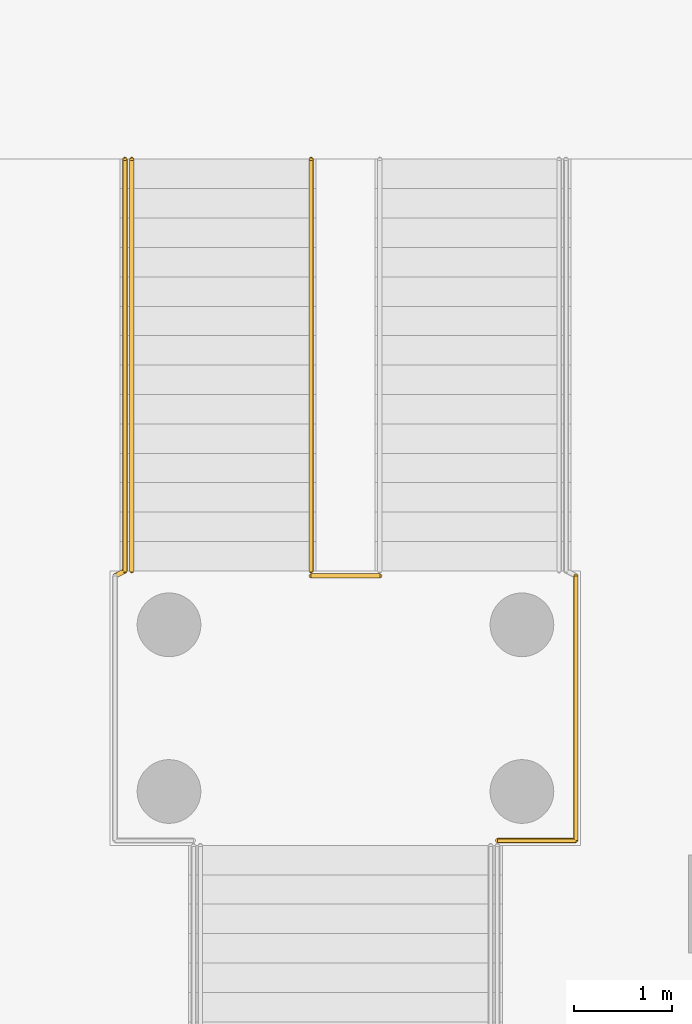
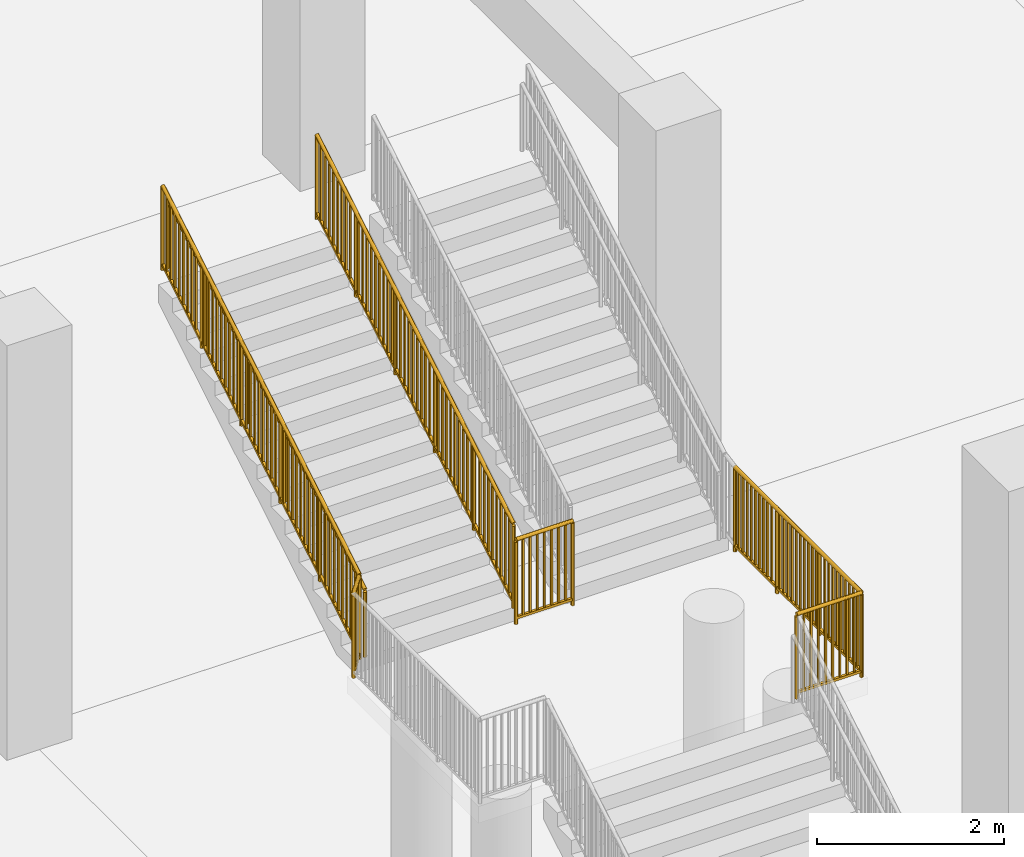
# One storey, part 89 of 95: 5 railings.
"""IFC4 building model written with IfcOpenShell, lengths in metres."""

from ifc_helpers import new_model, si_unit, direction, frame, origin, origin_2d, place, context, subcontext, project, spatial, rectangle, circle, extrude, material, type_object, element, save


model = new_model("IFC4")

# Units and contexts
model_context = context("Model", 3, precision=1e-05, world=origin(), true_north=direction((0.0, 1.0)))
body_context = subcontext(model_context, "Body", "Model", "MODEL_VIEW")
ifc_project = project(units=[si_unit("LENGTHUNIT", "METRE"), si_unit("AREAUNIT", "SQUARE_METRE"), si_unit("VOLUMEUNIT", "CUBIC_METRE"), si_unit("PLANEANGLEUNIT", "RADIAN"), si_unit("MASSUNIT", "GRAM", prefix="KILO")], contexts=[model_context])

# Site, building, storey
site_placement = place(None, origin())
site = spatial("IfcSite", under=ifc_project, at=site_placement, CompositionType="ELEMENT")
building_placement = place(site_placement, origin())
building = spatial("IfcBuilding", under=site, at=building_placement, Name="Zantavel Square City Hall", CompositionType="ELEMENT")
storey_placement = place(building_placement, origin())
storey = spatial("IfcBuildingStorey", under=building, at=storey_placement, Name="L01", CompositionType="ELEMENT", Elevation=0.0)

# Railings
ifc_material_1 = material(Name="Steel ASTM A500 Grade B", Category="steel")
railing_type_1 = type_object("IfcRailingType", Name="Classical Stone & Steel Terrace Balustrade 1100mm", PredefinedType="BALUSTRADE", material=ifc_material_1)
railing_1_placement = place(storey_placement, frame((85.550048828125, 38.64990234375, 2.699951171875)))
element("IfcRailing", 1, at=railing_1_placement, inside=storey, type_object=railing_type_1, Name="Imperial Stair Balustered Guard 04", PredefinedType="BALUSTRADE", context=body_context, shape_type="SweptSolid", body=[
    extrude(circle(Radius=0.02392578125, at=origin_2d()), frame((0.0, 0.0, 1.09619140625), z_axis=(1.0, 0.0, 0.0), x_axis=(0.0, 1.0, 0.0)), (0.0, 0.0, 1.0), 0.800048828125),
    extrude(rectangle(XDim=0.031982421875, YDim=0.031982421875, at=origin_2d()), frame((0.0, 0.0, 0.080078125), z_axis=(1.0, 0.0, 0.0), x_axis=(0.0, 1.0, 0.0)), (0.0, 0.0, 1.0), 0.800048828125),
    extrude(rectangle(XDim=0.02197265625, YDim=0.02197265625, at=origin_2d()), frame((0.0888671875, 0.0, 0.080078125)), (0.0, 0.0, 1.0), 0.991943359375),
    extrude(rectangle(XDim=0.02197265625, YDim=0.02197265625, at=origin_2d()), frame((0.177734375, 0.0, 0.080078125)), (0.0, 0.0, 1.0), 0.991943359375),
    extrude(rectangle(XDim=0.02197265625, YDim=0.02197265625, at=origin_2d()), frame((0.2666015625, 0.0, 0.080078125)), (0.0, 0.0, 1.0), 0.991943359375),
    extrude(rectangle(XDim=0.02197265625, YDim=0.02197265625, at=origin_2d()), frame((0.35546875, 0.0, 0.080078125)), (0.0, 0.0, 1.0), 0.991943359375),
    extrude(rectangle(XDim=0.02197265625, YDim=0.02197265625, at=origin_2d()), frame((0.444580078125, 0.0, 0.080078125)), (0.0, 0.0, 1.0), 0.991943359375),
    extrude(rectangle(XDim=0.02197265625, YDim=0.02197265625, at=origin_2d()), frame((0.533447265625, 0.0, 0.080078125)), (0.0, 0.0, 1.0), 0.991943359375),
    extrude(rectangle(XDim=0.02197265625, YDim=0.02197265625, at=origin_2d()), frame((0.622314453125, 0.0, 0.080078125)), (0.0, 0.0, 1.0), 0.991943359375),
    extrude(rectangle(XDim=0.02197265625, YDim=0.02197265625, at=origin_2d()), frame((0.711181640625, 0.0, 0.080078125)), (0.0, 0.0, 1.0), 0.991943359375),
    extrude(circle(Radius=0.02392578125, at=origin_2d()), frame((0.800048828125, 0.0, 1.09619140625), z_axis=(0.0, 1.0, 0.0), x_axis=(-1.0, 0.0, 0.0)), (0.0, 0.0, 1.0), 2.7001953125),
    extrude(rectangle(XDim=0.031982421875, YDim=0.031982421875, at=origin_2d()), frame((0.800048828125, 0.0, 0.080078125), z_axis=(0.0, 1.0, 0.0), x_axis=(-1.0, 0.0, 0.0)), (0.0, 0.0, 1.0), 2.7001953125),
    extrude(rectangle(XDim=0.02197265625, YDim=0.02197265625, at=origin_2d()), frame((0.800048828125, 0.087158203125, 0.080078125)), (0.0, 0.0, 1.0), 0.991943359375),
    extrude(rectangle(XDim=0.02197265625, YDim=0.02197265625, at=origin_2d()), frame((0.800048828125, 0.17431640625, 0.080078125)), (0.0, 0.0, 1.0), 0.991943359375),
    extrude(rectangle(XDim=0.02197265625, YDim=0.02197265625, at=origin_2d()), frame((0.800048828125, 0.26123046875, 0.080078125)), (0.0, 0.0, 1.0), 0.991943359375),
    extrude(rectangle(XDim=0.02197265625, YDim=0.02197265625, at=origin_2d()), frame((0.800048828125, 0.348388671875, 0.080078125)), (0.0, 0.0, 1.0), 0.991943359375),
    extrude(rectangle(XDim=0.02197265625, YDim=0.02197265625, at=origin_2d()), frame((0.800048828125, 0.435546875, 0.080078125)), (0.0, 0.0, 1.0), 0.991943359375),
    extrude(rectangle(XDim=0.02197265625, YDim=0.02197265625, at=origin_2d()), frame((0.800048828125, 0.522705078125, 0.080078125)), (0.0, 0.0, 1.0), 0.991943359375),
    extrude(rectangle(XDim=0.02197265625, YDim=0.02197265625, at=origin_2d()), frame((0.800048828125, 0.609619140625, 0.080078125)), (0.0, 0.0, 1.0), 0.991943359375),
    extrude(rectangle(XDim=0.02197265625, YDim=0.02197265625, at=origin_2d()), frame((0.800048828125, 0.69677734375, 0.080078125)), (0.0, 0.0, 1.0), 0.991943359375),
    extrude(rectangle(XDim=0.02197265625, YDim=0.02197265625, at=origin_2d()), frame((0.800048828125, 0.783935546875, 0.080078125)), (0.0, 0.0, 1.0), 0.991943359375),
    extrude(rectangle(XDim=0.02197265625, YDim=0.02197265625, at=origin_2d()), frame((0.800048828125, 0.958251953125, 0.080078125)), (0.0, 0.0, 1.0), 0.991943359375),
    extrude(rectangle(XDim=0.02197265625, YDim=0.02197265625, at=origin_2d()), frame((0.800048828125, 1.045166015625, 0.080078125)), (0.0, 0.0, 1.0), 0.991943359375),
    extrude(rectangle(XDim=0.02197265625, YDim=0.02197265625, at=origin_2d()), frame((0.800048828125, 1.13232421875, 0.080078125)), (0.0, 0.0, 1.0), 0.991943359375),
    extrude(rectangle(XDim=0.02197265625, YDim=0.02197265625, at=origin_2d()), frame((0.800048828125, 1.219482421875, 0.080078125)), (0.0, 0.0, 1.0), 0.991943359375),
    extrude(rectangle(XDim=0.02197265625, YDim=0.02197265625, at=origin_2d()), frame((0.800048828125, 1.306640625, 0.080078125)), (0.0, 0.0, 1.0), 0.991943359375),
    extrude(rectangle(XDim=0.02197265625, YDim=0.02197265625, at=origin_2d()), frame((0.800048828125, 1.3935546875, 0.080078125)), (0.0, 0.0, 1.0), 0.991943359375),
    extrude(rectangle(XDim=0.02197265625, YDim=0.02197265625, at=origin_2d()), frame((0.800048828125, 1.480712890625, 0.080078125)), (0.0, 0.0, 1.0), 0.991943359375),
    extrude(rectangle(XDim=0.02197265625, YDim=0.02197265625, at=origin_2d()), frame((0.800048828125, 1.56787109375, 0.080078125)), (0.0, 0.0, 1.0), 0.991943359375),
    extrude(rectangle(XDim=0.02197265625, YDim=0.02197265625, at=origin_2d()), frame((0.800048828125, 1.655029296875, 0.080078125)), (0.0, 0.0, 1.0), 0.991943359375),
    extrude(rectangle(XDim=0.02197265625, YDim=0.02197265625, at=origin_2d()), frame((0.800048828125, 1.741943359375, 0.080078125)), (0.0, 0.0, 1.0), 0.991943359375),
    extrude(rectangle(XDim=0.02197265625, YDim=0.02197265625, at=origin_2d()), frame((0.800048828125, 1.916259765625, 0.080078125)), (0.0, 0.0, 1.0), 0.991943359375),
    extrude(rectangle(XDim=0.02197265625, YDim=0.02197265625, at=origin_2d()), frame((0.800048828125, 2.00341796875, 0.080078125)), (0.0, 0.0, 1.0), 0.991943359375),
    extrude(rectangle(XDim=0.02197265625, YDim=0.02197265625, at=origin_2d()), frame((0.800048828125, 2.090576171875, 0.080078125)), (0.0, 0.0, 1.0), 0.991943359375),
    extrude(rectangle(XDim=0.02197265625, YDim=0.02197265625, at=origin_2d()), frame((0.800048828125, 2.177490234375, 0.080078125)), (0.0, 0.0, 1.0), 0.991943359375),
    extrude(rectangle(XDim=0.02197265625, YDim=0.02197265625, at=origin_2d()), frame((0.800048828125, 2.2646484375, 0.080078125)), (0.0, 0.0, 1.0), 0.991943359375),
    extrude(rectangle(XDim=0.02197265625, YDim=0.02197265625, at=origin_2d()), frame((0.800048828125, 2.351806640625, 0.080078125)), (0.0, 0.0, 1.0), 0.991943359375),
    extrude(rectangle(XDim=0.02197265625, YDim=0.02197265625, at=origin_2d()), frame((0.800048828125, 2.43896484375, 0.080078125)), (0.0, 0.0, 1.0), 0.991943359375),
    extrude(rectangle(XDim=0.02197265625, YDim=0.02197265625, at=origin_2d()), frame((0.800048828125, 2.52587890625, 0.080078125)), (0.0, 0.0, 1.0), 0.991943359375),
    extrude(rectangle(XDim=0.02197265625, YDim=0.02197265625, at=origin_2d()), frame((0.800048828125, 2.613037109375, 0.080078125)), (0.0, 0.0, 1.0), 0.991943359375),
    extrude(circle(Radius=0.02099609375, at=origin_2d()), origin(), (0.0, 0.0, 1.0), 1.072021484375),
    extrude(circle(Radius=0.02099609375, at=origin_2d()), frame((0.800048828125, 0.0, 0.0)), (0.0, 0.0, 1.0), 1.072021484375),
    extrude(circle(Radius=0.02099609375, at=origin_2d()), frame((0.800048828125, 0.900146484375, 0.0)), (0.0, 0.0, 1.0), 1.072021484375),
    extrude(circle(Radius=0.02099609375, at=origin_2d()), frame((0.800048828125, 1.800048828125, 0.0)), (0.0, 0.0, 1.0), 1.072021484375),
    extrude(circle(Radius=0.02099609375, at=origin_2d()), frame((0.800048828125, 2.7001953125, 0.0)), (0.0, 0.0, 1.0), 1.072021484375),
])
railing_2_placement = place(storey_placement, frame((81.64990234375, 41.35009765625, 2.699951171875)))
element("IfcRailing", 2, at=railing_2_placement, inside=storey, type_object=railing_type_1, Name="Imperial Stair Balustered Guard 05", PredefinedType="BALUSTRADE", context=body_context, shape_type="SweptSolid", body=[
    extrude(circle(Radius=0.02392578125, at=origin_2d()), frame((0.0, 0.0, 1.09619140625), z_axis=(0.472519280949, 0.235107154423, 0.849382219657), x_axis=(-0.445465817735, 0.895298947408, 0.0)), (0.0, 0.0, 1.0), 0.2119140625),
    extrude(rectangle(XDim=0.031982421875, YDim=0.031982421875, at=origin_2d()), frame((0.0, 0.0, 0.080078125), z_axis=(0.472519280949, 0.235107154423, 0.849382219657), x_axis=(-0.445465817735, 0.895298947408, 0.0)), (0.0, 0.0, 1.0), 0.2119140625),
    extrude(rectangle(XDim=0.02197265625, YDim=0.02197265625, at=origin_2d()), frame((0.050048828125, 0.02490234375, 0.169921875)), (0.0, 0.0, 1.0), 0.991943359375),
    extrude(circle(Radius=0.02392578125, at=origin_2d()), frame((0.10009765625, 0.0498046875, 1.27587890625), z_axis=(0.0, 0.857501721439, 0.514481095599), x_axis=(-1.0, 0.0, 0.0)), (0.0, 0.0, 1.0), 4.898193359375),
    extrude(rectangle(XDim=0.031982421875, YDim=0.031982421875, at=origin_2d()), frame((0.10009765625, 0.0498046875, 0.260009765625), z_axis=(0.0, 0.857501721439, 0.514481095599), x_axis=(-1.0, 0.0, 0.0)), (0.0, 0.0, 1.0), 4.898193359375),
    extrude(rectangle(XDim=0.02197265625, YDim=0.02197265625, at=origin_2d()), frame((0.10009765625, 0.13916015625, 0.3134765625)), (0.0, 0.0, 1.0), 0.991943359375),
    extrude(rectangle(XDim=0.02197265625, YDim=0.02197265625, at=origin_2d()), frame((0.10009765625, 0.228515625, 0.3671875)), (0.0, 0.0, 1.0), 0.991943359375),
    extrude(rectangle(XDim=0.02197265625, YDim=0.02197265625, at=origin_2d()), frame((0.10009765625, 0.31787109375, 0.4208984375)), (0.0, 0.0, 1.0), 0.991943359375),
    extrude(rectangle(XDim=0.02197265625, YDim=0.02197265625, at=origin_2d()), frame((0.10009765625, 0.4072265625, 0.474365234375)), (0.0, 0.0, 1.0), 0.991943359375),
    extrude(rectangle(XDim=0.02197265625, YDim=0.02197265625, at=origin_2d()), frame((0.10009765625, 0.49658203125, 0.528076171875)), (0.0, 0.0, 1.0), 0.991943359375),
    extrude(rectangle(XDim=0.02197265625, YDim=0.02197265625, at=origin_2d()), frame((0.10009765625, 0.5859375, 0.58154296875)), (0.0, 0.0, 1.0), 0.991943359375),
    extrude(rectangle(XDim=0.02197265625, YDim=0.02197265625, at=origin_2d()), frame((0.10009765625, 0.67529296875, 0.63525390625)), (0.0, 0.0, 1.0), 0.991943359375),
    extrude(rectangle(XDim=0.02197265625, YDim=0.02197265625, at=origin_2d()), frame((0.10009765625, 0.7646484375, 0.68896484375)), (0.0, 0.0, 1.0), 0.991943359375),
    extrude(rectangle(XDim=0.02197265625, YDim=0.02197265625, at=origin_2d()), frame((0.10009765625, 0.943359375, 0.796142578125)), (0.0, 0.0, 1.0), 0.991943359375),
    extrude(rectangle(XDim=0.02197265625, YDim=0.02197265625, at=origin_2d()), frame((0.10009765625, 1.03271484375, 0.849609375)), (0.0, 0.0, 1.0), 0.991943359375),
    extrude(rectangle(XDim=0.02197265625, YDim=0.02197265625, at=origin_2d()), frame((0.10009765625, 1.122314453125, 0.9033203125)), (0.0, 0.0, 1.0), 0.991943359375),
    extrude(rectangle(XDim=0.02197265625, YDim=0.02197265625, at=origin_2d()), frame((0.10009765625, 1.211669921875, 0.95703125)), (0.0, 0.0, 1.0), 0.991943359375),
    extrude(rectangle(XDim=0.02197265625, YDim=0.02197265625, at=origin_2d()), frame((0.10009765625, 1.301025390625, 1.010498046875)), (0.0, 0.0, 1.0), 0.991943359375),
    extrude(rectangle(XDim=0.02197265625, YDim=0.02197265625, at=origin_2d()), frame((0.10009765625, 1.390380859375, 1.064208984375)), (0.0, 0.0, 1.0), 0.991943359375),
    extrude(rectangle(XDim=0.02197265625, YDim=0.02197265625, at=origin_2d()), frame((0.10009765625, 1.479736328125, 1.117919921875)), (0.0, 0.0, 1.0), 0.991943359375),
    extrude(rectangle(XDim=0.02197265625, YDim=0.02197265625, at=origin_2d()), frame((0.10009765625, 1.569091796875, 1.17138671875)), (0.0, 0.0, 1.0), 0.991943359375),
    extrude(rectangle(XDim=0.02197265625, YDim=0.02197265625, at=origin_2d()), frame((0.10009765625, 1.658447265625, 1.22509765625)), (0.0, 0.0, 1.0), 0.991943359375),
    extrude(rectangle(XDim=0.02197265625, YDim=0.02197265625, at=origin_2d()), frame((0.10009765625, 1.837158203125, 1.332275390625)), (0.0, 0.0, 1.0), 0.991943359375),
    extrude(rectangle(XDim=0.02197265625, YDim=0.02197265625, at=origin_2d()), frame((0.10009765625, 1.926513671875, 1.385986328125)), (0.0, 0.0, 1.0), 0.991943359375),
    extrude(rectangle(XDim=0.02197265625, YDim=0.02197265625, at=origin_2d()), frame((0.10009765625, 2.015869140625, 1.439453125)), (0.0, 0.0, 1.0), 0.991943359375),
    extrude(rectangle(XDim=0.02197265625, YDim=0.02197265625, at=origin_2d()), frame((0.10009765625, 2.105224609375, 1.4931640625)), (0.0, 0.0, 1.0), 0.991943359375),
    extrude(rectangle(XDim=0.02197265625, YDim=0.02197265625, at=origin_2d()), frame((0.10009765625, 2.194580078125, 1.546630859375)), (0.0, 0.0, 1.0), 0.991943359375),
    extrude(rectangle(XDim=0.02197265625, YDim=0.02197265625, at=origin_2d()), frame((0.10009765625, 2.283935546875, 1.600341796875)), (0.0, 0.0, 1.0), 0.991943359375),
    extrude(rectangle(XDim=0.02197265625, YDim=0.02197265625, at=origin_2d()), frame((0.10009765625, 2.373291015625, 1.654052734375)), (0.0, 0.0, 1.0), 0.991943359375),
    extrude(rectangle(XDim=0.02197265625, YDim=0.02197265625, at=origin_2d()), frame((0.10009765625, 2.462646484375, 1.70751953125)), (0.0, 0.0, 1.0), 0.991943359375),
    extrude(rectangle(XDim=0.02197265625, YDim=0.02197265625, at=origin_2d()), frame((0.10009765625, 2.641357421875, 1.81494140625)), (0.0, 0.0, 1.0), 0.991943359375),
    extrude(rectangle(XDim=0.02197265625, YDim=0.02197265625, at=origin_2d()), frame((0.10009765625, 2.730712890625, 1.868408203125)), (0.0, 0.0, 1.0), 0.991943359375),
    extrude(rectangle(XDim=0.02197265625, YDim=0.02197265625, at=origin_2d()), frame((0.10009765625, 2.820068359375, 1.922119140625)), (0.0, 0.0, 1.0), 0.991943359375),
    extrude(rectangle(XDim=0.02197265625, YDim=0.02197265625, at=origin_2d()), frame((0.10009765625, 2.909423828125, 1.9755859375)), (0.0, 0.0, 1.0), 0.991943359375),
    extrude(rectangle(XDim=0.02197265625, YDim=0.02197265625, at=origin_2d()), frame((0.10009765625, 2.998779296875, 2.029296875)), (0.0, 0.0, 1.0), 0.991943359375),
    extrude(rectangle(XDim=0.02197265625, YDim=0.02197265625, at=origin_2d()), frame((0.10009765625, 3.088134765625, 2.0830078125)), (0.0, 0.0, 1.0), 0.991943359375),
    extrude(rectangle(XDim=0.02197265625, YDim=0.02197265625, at=origin_2d()), frame((0.10009765625, 3.177490234375, 2.136474609375)), (0.0, 0.0, 1.0), 0.991943359375),
    extrude(rectangle(XDim=0.02197265625, YDim=0.02197265625, at=origin_2d()), frame((0.10009765625, 3.26708984375, 2.190185546875)), (0.0, 0.0, 1.0), 0.991943359375),
    extrude(rectangle(XDim=0.02197265625, YDim=0.02197265625, at=origin_2d()), frame((0.10009765625, 3.3564453125, 2.243896484375)), (0.0, 0.0, 1.0), 0.991943359375),
    extrude(rectangle(XDim=0.02197265625, YDim=0.02197265625, at=origin_2d()), frame((0.10009765625, 3.53515625, 2.35107421875)), (0.0, 0.0, 1.0), 0.991943359375),
    extrude(rectangle(XDim=0.02197265625, YDim=0.02197265625, at=origin_2d()), frame((0.10009765625, 3.62451171875, 2.404541015625)), (0.0, 0.0, 1.0), 0.991943359375),
    extrude(rectangle(XDim=0.02197265625, YDim=0.02197265625, at=origin_2d()), frame((0.10009765625, 3.7138671875, 2.458251953125)), (0.0, 0.0, 1.0), 0.991943359375),
    extrude(rectangle(XDim=0.02197265625, YDim=0.02197265625, at=origin_2d()), frame((0.10009765625, 3.80322265625, 2.511962890625)), (0.0, 0.0, 1.0), 0.991943359375),
    extrude(rectangle(XDim=0.02197265625, YDim=0.02197265625, at=origin_2d()), frame((0.10009765625, 3.892578125, 2.5654296875)), (0.0, 0.0, 1.0), 0.991943359375),
    extrude(rectangle(XDim=0.02197265625, YDim=0.02197265625, at=origin_2d()), frame((0.10009765625, 3.98193359375, 2.619140625)), (0.0, 0.0, 1.0), 0.991943359375),
    extrude(rectangle(XDim=0.02197265625, YDim=0.02197265625, at=origin_2d()), frame((0.10009765625, 4.0712890625, 2.672607421875)), (0.0, 0.0, 1.0), 0.991943359375),
    extrude(rectangle(XDim=0.02197265625, YDim=0.02197265625, at=origin_2d()), frame((0.10009765625, 4.16064453125, 2.726318359375)), (0.0, 0.0, 1.0), 0.991943359375),
    extrude(circle(Radius=0.02099609375, at=origin_2d()), origin(), (0.0, 0.0, 1.0), 1.072021484375),
    extrude(circle(Radius=0.02099609375, at=origin_2d()), frame((0.10009765625, 0.0498046875, 0.179931640625)), (0.0, 0.0, 1.0), 1.072021484375),
    extrude(circle(Radius=0.02099609375, at=origin_2d()), frame((0.10009765625, 0.889892578125, 0.683837890625)), (0.0, 0.0, 1.0), 1.072021484375),
    extrude(circle(Radius=0.02099609375, at=origin_2d()), frame((0.10009765625, 1.72998046875, 1.18798828125)), (0.0, 0.0, 1.0), 1.072021484375),
    extrude(circle(Radius=0.02099609375, at=origin_2d()), frame((0.10009765625, 2.56982421875, 1.69189453125)), (0.0, 0.0, 1.0), 1.072021484375),
    extrude(circle(Radius=0.02099609375, at=origin_2d()), frame((0.10009765625, 3.409912109375, 2.196044921875)), (0.0, 0.0, 1.0), 1.072021484375),
    extrude(circle(Radius=0.02099609375, at=origin_2d()), frame((0.10009765625, 4.25, 2.699951171875)), (0.0, 0.0, 1.0), 1.072021484375),
])
railing_3_placement = place(storey_placement, frame((83.64990234375, 41.35009765625, 2.699951171875)))
element("IfcRailing", 3, at=railing_3_placement, inside=storey, type_object=railing_type_1, Name="Imperial Stair Balustered Guard 07", PredefinedType="BALUSTRADE", context=body_context, shape_type="SweptSolid", body=[
    extrude(circle(Radius=0.02392578125, at=origin_2d()), frame((0.0, 0.0, 1.09619140625), z_axis=(1.0, 0.0, 0.0), x_axis=(0.0, 1.0, 0.0)), (0.0, 0.0, 1.0), 0.7001953125),
    extrude(rectangle(XDim=0.031982421875, YDim=0.031982421875, at=origin_2d()), frame((0.0, 0.0, 0.080078125), z_axis=(1.0, 0.0, 0.0), x_axis=(0.0, 1.0, 0.0)), (0.0, 0.0, 1.0), 0.7001953125),
    extrude(rectangle(XDim=0.02197265625, YDim=0.02197265625, at=origin_2d()), frame((0.08740234375, 0.0, 0.080078125)), (0.0, 0.0, 1.0), 0.991943359375),
    extrude(rectangle(XDim=0.02197265625, YDim=0.02197265625, at=origin_2d()), frame((0.175048828125, 0.0, 0.080078125)), (0.0, 0.0, 1.0), 0.991943359375),
    extrude(rectangle(XDim=0.02197265625, YDim=0.02197265625, at=origin_2d()), frame((0.2626953125, 0.0, 0.080078125)), (0.0, 0.0, 1.0), 0.991943359375),
    extrude(rectangle(XDim=0.02197265625, YDim=0.02197265625, at=origin_2d()), frame((0.35009765625, 0.0, 0.080078125)), (0.0, 0.0, 1.0), 0.991943359375),
    extrude(rectangle(XDim=0.02197265625, YDim=0.02197265625, at=origin_2d()), frame((0.4375, 0.0, 0.080078125)), (0.0, 0.0, 1.0), 0.991943359375),
    extrude(rectangle(XDim=0.02197265625, YDim=0.02197265625, at=origin_2d()), frame((0.525146484375, 0.0, 0.080078125)), (0.0, 0.0, 1.0), 0.991943359375),
    extrude(rectangle(XDim=0.02197265625, YDim=0.02197265625, at=origin_2d()), frame((0.61279296875, 0.0, 0.080078125)), (0.0, 0.0, 1.0), 0.991943359375),
    extrude(circle(Radius=0.02099609375, at=origin_2d()), origin(), (0.0, 0.0, 1.0), 1.072021484375),
    extrude(circle(Radius=0.02099609375, at=origin_2d()), frame((0.7001953125, 0.0, 0.0)), (0.0, 0.0, 1.0), 1.072021484375),
])
railing_4_placement = place(storey_placement, frame((83.64990234375, 41.39990234375, 2.8798828125)))
element("IfcRailing", 4, at=railing_4_placement, inside=storey, type_object=railing_type_1, Name="Imperial Stair Balustered Guard 08", PredefinedType="BALUSTRADE", context=body_context, shape_type="SweptSolid", body=[
    extrude(circle(Radius=0.02392578125, at=origin_2d()), frame((0.0, 0.0, 1.09619140625), z_axis=(0.0, 0.857501721439, 0.514481095599), x_axis=(-1.0, 0.0, 0.0)), (0.0, 0.0, 1.0), 4.898193359375),
    extrude(rectangle(XDim=0.031982421875, YDim=0.031982421875, at=origin_2d()), frame((0.0, 0.0, 0.080078125), z_axis=(0.0, 0.857501721439, 0.514481095599), x_axis=(-1.0, 0.0, 0.0)), (0.0, 0.0, 1.0), 4.898193359375),
    extrude(rectangle(XDim=0.02197265625, YDim=0.02197265625, at=origin_2d()), frame((0.0, 0.08935546875, 0.133544921875)), (0.0, 0.0, 1.0), 0.991943359375),
    extrude(rectangle(XDim=0.02197265625, YDim=0.02197265625, at=origin_2d()), frame((0.0, 0.1787109375, 0.187255859375)), (0.0, 0.0, 1.0), 0.991943359375),
    extrude(rectangle(XDim=0.02197265625, YDim=0.02197265625, at=origin_2d()), frame((0.0, 0.26806640625, 0.240966796875)), (0.0, 0.0, 1.0), 0.991943359375),
    extrude(rectangle(XDim=0.02197265625, YDim=0.02197265625, at=origin_2d()), frame((0.0, 0.357421875, 0.29443359375)), (0.0, 0.0, 1.0), 0.991943359375),
    extrude(rectangle(XDim=0.02197265625, YDim=0.02197265625, at=origin_2d()), frame((0.0, 0.44677734375, 0.34814453125)), (0.0, 0.0, 1.0), 0.991943359375),
    extrude(rectangle(XDim=0.02197265625, YDim=0.02197265625, at=origin_2d()), frame((0.0, 0.5361328125, 0.401611328125)), (0.0, 0.0, 1.0), 0.991943359375),
    extrude(rectangle(XDim=0.02197265625, YDim=0.02197265625, at=origin_2d()), frame((0.0, 0.62548828125, 0.455322265625)), (0.0, 0.0, 1.0), 0.991943359375),
    extrude(rectangle(XDim=0.02197265625, YDim=0.02197265625, at=origin_2d()), frame((0.0, 0.71484375, 0.509033203125)), (0.0, 0.0, 1.0), 0.991943359375),
    extrude(rectangle(XDim=0.02197265625, YDim=0.02197265625, at=origin_2d()), frame((0.0, 0.8935546875, 0.6162109375)), (0.0, 0.0, 1.0), 0.991943359375),
    extrude(rectangle(XDim=0.02197265625, YDim=0.02197265625, at=origin_2d()), frame((0.0, 0.98291015625, 0.669677734375)), (0.0, 0.0, 1.0), 0.991943359375),
    extrude(rectangle(XDim=0.02197265625, YDim=0.02197265625, at=origin_2d()), frame((0.0, 1.072509765625, 0.723388671875)), (0.0, 0.0, 1.0), 0.991943359375),
    extrude(rectangle(XDim=0.02197265625, YDim=0.02197265625, at=origin_2d()), frame((0.0, 1.161865234375, 0.777099609375)), (0.0, 0.0, 1.0), 0.991943359375),
    extrude(rectangle(XDim=0.02197265625, YDim=0.02197265625, at=origin_2d()), frame((0.0, 1.251220703125, 0.83056640625)), (0.0, 0.0, 1.0), 0.991943359375),
    extrude(rectangle(XDim=0.02197265625, YDim=0.02197265625, at=origin_2d()), frame((0.0, 1.340576171875, 0.88427734375)), (0.0, 0.0, 1.0), 0.991943359375),
    extrude(rectangle(XDim=0.02197265625, YDim=0.02197265625, at=origin_2d()), frame((0.0, 1.429931640625, 0.93798828125)), (0.0, 0.0, 1.0), 0.991943359375),
    extrude(rectangle(XDim=0.02197265625, YDim=0.02197265625, at=origin_2d()), frame((0.0, 1.519287109375, 0.991455078125)), (0.0, 0.0, 1.0), 0.991943359375),
    extrude(rectangle(XDim=0.02197265625, YDim=0.02197265625, at=origin_2d()), frame((0.0, 1.608642578125, 1.045166015625)), (0.0, 0.0, 1.0), 0.991943359375),
    extrude(rectangle(XDim=0.02197265625, YDim=0.02197265625, at=origin_2d()), frame((0.0, 1.787353515625, 1.15234375)), (0.0, 0.0, 1.0), 0.991943359375),
    extrude(rectangle(XDim=0.02197265625, YDim=0.02197265625, at=origin_2d()), frame((0.0, 1.876708984375, 1.2060546875)), (0.0, 0.0, 1.0), 0.991943359375),
    extrude(rectangle(XDim=0.02197265625, YDim=0.02197265625, at=origin_2d()), frame((0.0, 1.966064453125, 1.259521484375)), (0.0, 0.0, 1.0), 0.991943359375),
    extrude(rectangle(XDim=0.02197265625, YDim=0.02197265625, at=origin_2d()), frame((0.0, 2.055419921875, 1.313232421875)), (0.0, 0.0, 1.0), 0.991943359375),
    extrude(rectangle(XDim=0.02197265625, YDim=0.02197265625, at=origin_2d()), frame((0.0, 2.144775390625, 1.36669921875)), (0.0, 0.0, 1.0), 0.991943359375),
    extrude(rectangle(XDim=0.02197265625, YDim=0.02197265625, at=origin_2d()), frame((0.0, 2.234130859375, 1.42041015625)), (0.0, 0.0, 1.0), 0.991943359375),
    extrude(rectangle(XDim=0.02197265625, YDim=0.02197265625, at=origin_2d()), frame((0.0, 2.323486328125, 1.47412109375)), (0.0, 0.0, 1.0), 0.991943359375),
    extrude(rectangle(XDim=0.02197265625, YDim=0.02197265625, at=origin_2d()), frame((0.0, 2.412841796875, 1.527587890625)), (0.0, 0.0, 1.0), 0.991943359375),
    extrude(rectangle(XDim=0.02197265625, YDim=0.02197265625, at=origin_2d()), frame((0.0, 2.591552734375, 1.635009765625)), (0.0, 0.0, 1.0), 0.991943359375),
    extrude(rectangle(XDim=0.02197265625, YDim=0.02197265625, at=origin_2d()), frame((0.0, 2.680908203125, 1.6884765625)), (0.0, 0.0, 1.0), 0.991943359375),
    extrude(rectangle(XDim=0.02197265625, YDim=0.02197265625, at=origin_2d()), frame((0.0, 2.770263671875, 1.7421875)), (0.0, 0.0, 1.0), 0.991943359375),
    extrude(rectangle(XDim=0.02197265625, YDim=0.02197265625, at=origin_2d()), frame((0.0, 2.859619140625, 1.795654296875)), (0.0, 0.0, 1.0), 0.991943359375),
    extrude(rectangle(XDim=0.02197265625, YDim=0.02197265625, at=origin_2d()), frame((0.0, 2.948974609375, 1.849365234375)), (0.0, 0.0, 1.0), 0.991943359375),
    extrude(rectangle(XDim=0.02197265625, YDim=0.02197265625, at=origin_2d()), frame((0.0, 3.038330078125, 1.903076171875)), (0.0, 0.0, 1.0), 0.991943359375),
    extrude(rectangle(XDim=0.02197265625, YDim=0.02197265625, at=origin_2d()), frame((0.0, 3.127685546875, 1.95654296875)), (0.0, 0.0, 1.0), 0.991943359375),
    extrude(rectangle(XDim=0.02197265625, YDim=0.02197265625, at=origin_2d()), frame((0.0, 3.21728515625, 2.01025390625)), (0.0, 0.0, 1.0), 0.991943359375),
    extrude(rectangle(XDim=0.02197265625, YDim=0.02197265625, at=origin_2d()), frame((0.0, 3.306640625, 2.06396484375)), (0.0, 0.0, 1.0), 0.991943359375),
    extrude(rectangle(XDim=0.02197265625, YDim=0.02197265625, at=origin_2d()), frame((0.0, 3.4853515625, 2.171142578125)), (0.0, 0.0, 1.0), 0.991943359375),
    extrude(rectangle(XDim=0.02197265625, YDim=0.02197265625, at=origin_2d()), frame((0.0, 3.57470703125, 2.224609375)), (0.0, 0.0, 1.0), 0.991943359375),
    extrude(rectangle(XDim=0.02197265625, YDim=0.02197265625, at=origin_2d()), frame((0.0, 3.6640625, 2.2783203125)), (0.0, 0.0, 1.0), 0.991943359375),
    extrude(rectangle(XDim=0.02197265625, YDim=0.02197265625, at=origin_2d()), frame((0.0, 3.75341796875, 2.33203125)), (0.0, 0.0, 1.0), 0.991943359375),
    extrude(rectangle(XDim=0.02197265625, YDim=0.02197265625, at=origin_2d()), frame((0.0, 3.8427734375, 2.385498046875)), (0.0, 0.0, 1.0), 0.991943359375),
    extrude(rectangle(XDim=0.02197265625, YDim=0.02197265625, at=origin_2d()), frame((0.0, 3.93212890625, 2.439208984375)), (0.0, 0.0, 1.0), 0.991943359375),
    extrude(rectangle(XDim=0.02197265625, YDim=0.02197265625, at=origin_2d()), frame((0.0, 4.021484375, 2.49267578125)), (0.0, 0.0, 1.0), 0.991943359375),
    extrude(rectangle(XDim=0.02197265625, YDim=0.02197265625, at=origin_2d()), frame((0.0, 4.11083984375, 2.54638671875)), (0.0, 0.0, 1.0), 0.991943359375),
    extrude(circle(Radius=0.02099609375, at=origin_2d()), origin(), (0.0, 0.0, 1.0), 1.072021484375),
    extrude(circle(Radius=0.02099609375, at=origin_2d()), frame((0.0, 0.840087890625, 0.50390625)), (0.0, 0.0, 1.0), 1.072021484375),
    extrude(circle(Radius=0.02099609375, at=origin_2d()), frame((0.0, 1.68017578125, 1.008056640625)), (0.0, 0.0, 1.0), 1.072021484375),
    extrude(circle(Radius=0.02099609375, at=origin_2d()), frame((0.0, 2.52001953125, 1.511962890625)), (0.0, 0.0, 1.0), 1.072021484375),
    extrude(circle(Radius=0.02099609375, at=origin_2d()), frame((0.0, 3.360107421875, 2.01611328125)), (0.0, 0.0, 1.0), 1.072021484375),
    extrude(circle(Radius=0.02099609375, at=origin_2d()), frame((0.0, 4.2001953125, 2.52001953125)), (0.0, 0.0, 1.0), 1.072021484375),
])
ifc_material_2 = material(Name="Stainless steel 316", Category="steel")
railing_type_2 = type_object("IfcRailingType", Name="Stair Stainless Steel Handrail 900mm", PredefinedType="HANDRAIL", material=ifc_material_2)
railing_5_placement = place(storey_placement, frame((81.820068359375, 41.39990234375, 2.8798828125)))
element("IfcRailing", 5, at=railing_5_placement, inside=storey, type_object=railing_type_2, Name="Imperial Stair Handrail 03", PredefinedType="HANDRAIL", context=body_context, shape_type="SweptSolid", body=[
    extrude(circle(Radius=0.02392578125, at=origin_2d()), frame((0.0, 0.0, 0.8759765625), z_axis=(0.0, 0.857501721439, 0.514481095599), x_axis=(-1.0, 0.0, 0.0)), (0.0, 0.0, 1.0), 4.898193359375),
    extrude(circle(Radius=0.02099609375, at=origin_2d()), origin(), (0.0, 0.0, 1.0), 0.851806640625),
    extrude(circle(Radius=0.02099609375, at=origin_2d()), frame((0.0, 0.840087890625, 0.50390625)), (0.0, 0.0, 1.0), 0.851806640625),
    extrude(circle(Radius=0.02099609375, at=origin_2d()), frame((0.0, 1.68017578125, 1.008056640625)), (0.0, 0.0, 1.0), 0.851806640625),
    extrude(circle(Radius=0.02099609375, at=origin_2d()), frame((0.0, 2.52001953125, 1.511962890625)), (0.0, 0.0, 1.0), 0.851806640625),
    extrude(circle(Radius=0.02099609375, at=origin_2d()), frame((0.0, 3.360107421875, 2.01611328125)), (0.0, 0.0, 1.0), 0.851806640625),
    extrude(circle(Radius=0.02099609375, at=origin_2d()), frame((0.0, 4.2001953125, 2.52001953125)), (0.0, 0.0, 1.0), 0.851806640625),
])

save(model, "model.ifc")
